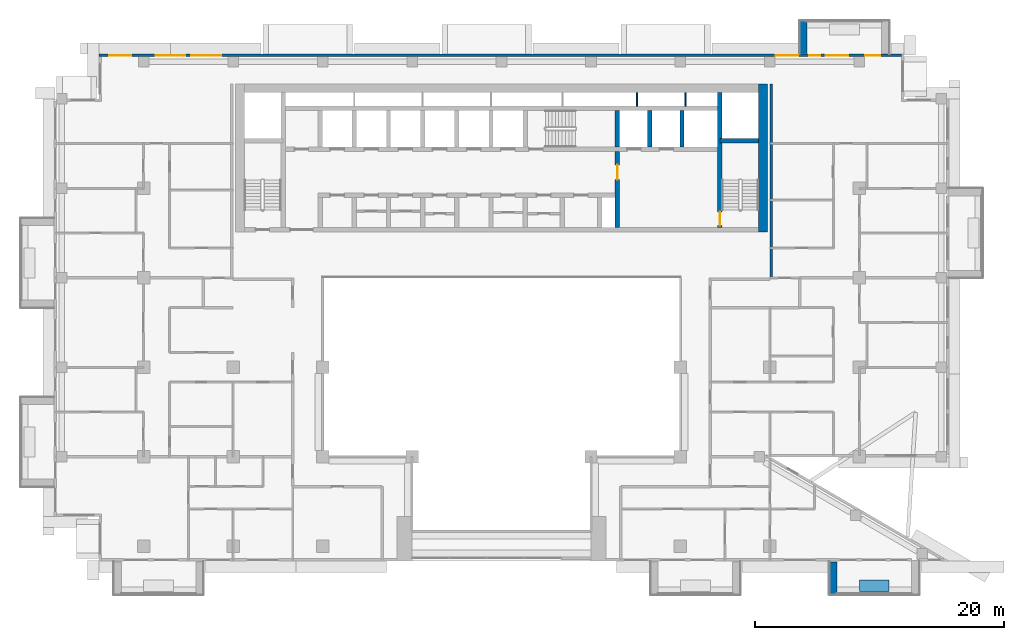
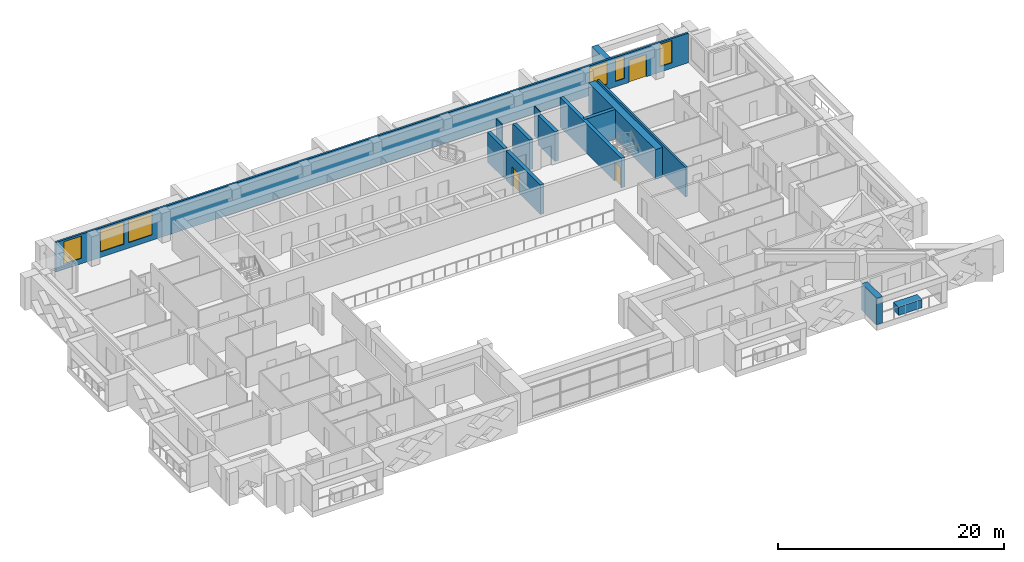
# One storey, part 11 of 20: 14 walls, 6 windows, 3 doors, 9 openings.
"""IFC4 building model written with IfcOpenShell, lengths in metres."""

from ifc_helpers import new_model, si_unit, direction, frame, frame_2d, origin, place, context, subcontext, project, spatial, rectangle, extrude, material, layer, layer_set, type_object, element, fill, save


model = new_model("IFC4")

# Units and contexts
model_context = context("Model", 3, precision=1e-05, world=origin(), true_north=direction((0.0, 1.0)))
body_context = subcontext(model_context, "Body", "Model", "MODEL_VIEW")
ifc_project = project(units=[si_unit("LENGTHUNIT", "METRE"), si_unit("AREAUNIT", "SQUARE_METRE"), si_unit("VOLUMEUNIT", "CUBIC_METRE"), si_unit("PLANEANGLEUNIT", "RADIAN"), si_unit("MASSUNIT", "GRAM", prefix="KILO")], contexts=[model_context])

# Site, building, storey
site_placement = place(None, origin())
site = spatial("IfcSite", under=ifc_project, at=site_placement, CompositionType="ELEMENT")
building_placement = place(site_placement, origin())
building = spatial("IfcBuilding", under=site, at=building_placement, Name="Saffron Iwan Residences", CompositionType="ELEMENT")
storey_placement = place(building_placement, frame((0.0, 0.0, 171.0)))
storey = spatial("IfcBuildingStorey", under=building, at=storey_placement, Name="L45", CompositionType="ELEMENT", Elevation=171.0)

# Walls
ifc_material_1 = material(Name="Concrete C50/60 white painted", Category="concrete")
ifc_layer_1 = layer(ifc_material_1, 0.60009765625)
ifc_layer_set_1 = layer_set([ifc_layer_1], Name="Concrete C50/60 white painted")
wall_type_1 = type_object("IfcWallType", Name="BALCONY FIN 600", PredefinedType="SOLIDWALL", material=ifc_layer_set_1)
for number, where, z_axis, x_axis, name in (
    (1, (74.699951171875, 80.449951171875, 0.0), (0.0, 0.0, 1.0), (0.0, 1.0, 0.0), "Balcony fin L45 F5-0b"),
    (2, (77.10009765625, 39.550048828125, 0.0), (0.0, 0.0, 1.0), (0.0, -1.0, 0.0), "Balcony fin L45 11-3a"),
):
    element("IfcWall", number, at=place(storey_placement, frame(where, z_axis=z_axis, x_axis=x_axis)), inside=storey, type_object=wall_type_1, Name=name, PredefinedType="SOLIDWALL", context=body_context, shape_type="SweptSolid", body=[
        extrude(rectangle(XDim=2.650146484375, YDim=0.60009765625, at=frame_2d((1.3251953125, 0.0))), origin(), (0.0, 0.0, 1.0), 2.85009765625),
    ])
ifc_material_2 = material(Name="Concrete C35/45 white painted", Category="concrete")
ifc_layer_2 = layer(ifc_material_2, 0.14990234375)
ifc_layer_set_2 = layer_set([ifc_layer_2], Name="Concrete C35/45 white painted")
wall_type_2 = type_object("IfcWallType", Name="BALCONY PLANTER", PredefinedType="SOLIDWALL", material=ifc_layer_set_2)
wall_1_placement = place(storey_placement, frame((79.199951171875, 37.625, 0.0), z_axis=(0.0, 0.0, 1.0), x_axis=(1.0, 0.0, 0.0)))
element("IfcWall", 3, at=wall_1_placement, inside=storey, type_object=wall_type_2, Name="PLANTER L45 11-3", PredefinedType="SOLIDWALL", context=body_context, shape_type="SweptSolid", body=[
    extrude(rectangle(XDim=2.400146484375, YDim=0.89990234375, at=frame_2d((1.2001953125, 0.0))), origin(), (0.0, 0.0, 1.0), 0.89990234375),
])

# Wall, openings, door, windows
ifc_material_3 = material(Name="Concrete C40/50", Category="concrete")
ifc_layer_3 = layer(ifc_material_3, 0.199951171875)
ifc_layer_set_3 = layer_set([ifc_layer_3], Name="Concrete C40/50")
wall_type_3 = type_object("IfcWallType", Name="EXTERNAL WALL 200", PredefinedType="SOLIDWALL", material=ifc_layer_set_3)
wall_2_placement = place(storey_placement, frame((82.60009765625, 80.300048828125, 0.0), z_axis=(0.0, 0.0, 1.0), x_axis=(-1.0, 0.0, 0.0)))
wall_2 = element("IfcWall", 4, at=wall_2_placement, inside=storey, type_object=wall_type_3, Name="External wall L45 F5.0", PredefinedType="SOLIDWALL", context=body_context, shape_type="SweptSolid", body=[
    extrude(rectangle(XDim=64.60009765625, YDim=0.199951171875, at=frame_2d((32.300048828125, 0.0))), origin(), (0.0, 0.0, 1.0), 3.199951171875),
])
opening_1_placement = place(wall_2_placement, frame((4.300048828125, 0.0, 0.0)))
opening_1 = element("IfcOpeningElement", 5, at=opening_1_placement, cuts=wall_2, Name="Opening BD1", PredefinedType="OPENING", context=body_context, shape_type="SweptSolid", body=[
    extrude(rectangle(XDim=1.800048828125, YDim=2.39990234375, at=frame_2d((0.89990234375, 1.199951171875))), frame((0.0, 0.10986328125, 0.0), z_axis=(0.0, -1.0, 0.0), x_axis=(1.0, 0.0, 0.0)), (0.0, 0.0, 1.0), 0.219970703125),
])
opening_2_placement = place(wall_2_placement, frame((54.75830078125, 0.0, 0.60009765625)))
opening_2 = element("IfcOpeningElement", 6, at=opening_2_placement, cuts=wall_2, Name="Opening W1", PredefinedType="OPENING", context=body_context, shape_type="SweptSolid", body=[
    extrude(rectangle(XDim=2.39990234375, YDim=2.39990234375, at=frame_2d((1.199951171875, 1.199951171875))), frame((0.0, 0.10986328125, 0.0), z_axis=(0.0, -1.0, 0.0), x_axis=(1.0, 0.0, 0.0)), (0.0, 0.0, 1.0), 0.219970703125),
])
opening_3_placement = place(wall_2_placement, frame((57.6416015625, 0.0, 0.60009765625)))
opening_3 = element("IfcOpeningElement", 7, at=opening_3_placement, cuts=wall_2, Name="Opening W1", PredefinedType="OPENING", context=body_context, shape_type="SweptSolid", body=[
    extrude(rectangle(XDim=2.39990234375, YDim=2.39990234375, at=frame_2d((1.199951171875, 1.199951171875))), frame((0.0, 0.10986328125, 0.0), z_axis=(0.0, -1.0, 0.0), x_axis=(1.0, 0.0, 0.0)), (0.0, 0.0, 1.0), 0.219970703125),
])
opening_4_placement = place(wall_2_placement, frame((61.987548828125, 0.0, 0.60009765625)))
opening_4 = element("IfcOpeningElement", 8, at=opening_4_placement, cuts=wall_2, Name="Opening W8", PredefinedType="OPENING", context=body_context, shape_type="SweptSolid", body=[
    extrude(rectangle(XDim=1.800048828125, YDim=2.39990234375, at=frame_2d((0.89990234375, 1.199951171875))), frame((0.0, 0.10986328125, 0.0), z_axis=(0.0, -1.0, 0.0), x_axis=(1.0, 0.0, 0.0)), (0.0, 0.0, 1.0), 0.219970703125),
])
opening_5_placement = place(wall_2_placement, frame((1.71240234375, 0.0, 0.60009765625)))
opening_5 = element("IfcOpeningElement", 9, at=opening_5_placement, cuts=wall_2, Name="Opening W3", PredefinedType="OPENING", context=body_context, shape_type="SweptSolid", body=[
    extrude(rectangle(XDim=1.199951171875, YDim=2.39990234375, at=frame_2d((0.60009765625, 1.199951171875))), frame((0.0, 0.10986328125, 0.0), z_axis=(0.0, -1.0, 0.0), x_axis=(1.0, 0.0, 0.0)), (0.0, 0.0, 1.0), 0.219970703125),
])
opening_6_placement = place(wall_2_placement, frame((6.550048828125, 0.0, 0.60009765625)))
opening_6 = element("IfcOpeningElement", 10, at=opening_6_placement, cuts=wall_2, Name="Opening W10", PredefinedType="OPENING", context=body_context, shape_type="SweptSolid", body=[
    extrude(rectangle(XDim=0.89990234375, YDim=2.39990234375, at=frame_2d((0.449951171875, 1.199951171875))), frame((0.0, 0.10986328125, 0.0), z_axis=(0.0, -1.0, 0.0), x_axis=(1.0, 0.0, 0.0)), (0.0, 0.0, 1.0), 0.219970703125),
])
opening_7_placement = place(wall_2_placement, frame((8.3125, 0.0, 0.60009765625)))
opening_7 = element("IfcOpeningElement", 11, at=opening_7_placement, cuts=wall_2, Name="Opening W8", PredefinedType="OPENING", context=body_context, shape_type="SweptSolid", body=[
    extrude(rectangle(XDim=1.800048828125, YDim=2.39990234375, at=frame_2d((0.89990234375, 1.199951171875))), frame((0.0, 0.10986328125, 0.0), z_axis=(0.0, -1.0, 0.0), x_axis=(1.0, 0.0, 0.0)), (0.0, 0.0, 1.0), 0.219970703125),
])
ifc_material_4 = material(Name="Clear glass, laminated double glazed", Category="glass")
door_type_1 = type_object("IfcDoorType", Name="BALCONY DOOR 1800 x 2400", OperationType="DOUBLE_DOOR_SLIDING", PredefinedType="DOOR", material=ifc_material_4)
door_1_placement = place(opening_1_placement, origin())
door_1 = element("IfcDoor", 12, at=door_1_placement, inside=storey, type_object=door_type_1, Name="Balcony door L45 F5.0", OperationType="DOUBLE_DOOR_SLIDING", OverallHeight=2.39990234375, OverallWidth=1.800048828125, PredefinedType="DOOR", context=body_context, shape_type="SweptSolid", body=[
    extrude(rectangle(XDim=1.800048828125, YDim=2.39990234375, at=frame_2d((0.89990234375, 1.199951171875))), frame((0.0, 0.02490234375, 0.0), z_axis=(0.0, -1.0, 0.0), x_axis=(1.0, 0.0, 0.0)), (0.0, 0.0, 1.0), 0.050048828125),
])
fill(opening_1, door_1)
window_type_1 = type_object("IfcWindowType", Name="WINDOW 1200 x 2400", PartitioningType="SINGLE_PANEL", PredefinedType="WINDOW", material=ifc_material_4)
window_1_placement = place(opening_5_placement, origin())
window_1 = element("IfcWindow", 13, at=window_1_placement, inside=storey, type_object=window_type_1, Name="Window L45 F5.4", OverallHeight=2.39990234375, OverallWidth=1.199951171875, PartitioningType="SINGLE_PANEL", PredefinedType="WINDOW", context=body_context, shape_type="SweptSolid", body=[
    extrude(rectangle(XDim=1.199951171875, YDim=2.39990234375, at=frame_2d((0.60009765625, 1.199951171875))), frame((0.0, 0.030029296875, 0.0), z_axis=(0.0, -1.0, 0.0), x_axis=(1.0, 0.0, 0.0)), (0.0, 0.0, 1.0), 0.06005859375),
])
fill(opening_5, window_1)
window_type_2 = type_object("IfcWindowType", Name="WINDOW 1800 x 2400", PartitioningType="DOUBLE_PANEL_VERTICAL", PredefinedType="WINDOW", material=ifc_material_4)
window_2_placement = place(opening_4_placement, origin())
window_2 = element("IfcWindow", 14, at=window_2_placement, inside=storey, type_object=window_type_2, Name="Window L45 F5.3", OverallHeight=2.39990234375, OverallWidth=1.800048828125, PartitioningType="DOUBLE_PANEL_VERTICAL", PredefinedType="WINDOW", context=body_context, shape_type="SweptSolid", body=[
    extrude(rectangle(XDim=1.800048828125, YDim=2.39990234375, at=frame_2d((0.89990234375, 1.199951171875))), frame((0.0, 0.030029296875, 0.0), z_axis=(0.0, -1.0, 0.0), x_axis=(1.0, 0.0, 0.0)), (0.0, 0.0, 1.0), 0.06005859375),
])
fill(opening_4, window_2)
window_3_placement = place(opening_7_placement, origin())
window_3 = element("IfcWindow", 15, at=window_3_placement, inside=storey, type_object=window_type_2, Name="Window L45 F5.6", OverallHeight=2.39990234375, OverallWidth=1.800048828125, PartitioningType="DOUBLE_PANEL_VERTICAL", PredefinedType="WINDOW", context=body_context, shape_type="SweptSolid", body=[
    extrude(rectangle(XDim=1.800048828125, YDim=2.39990234375, at=frame_2d((0.89990234375, 1.199951171875))), frame((0.0, 0.030029296875, 0.0), z_axis=(0.0, -1.0, 0.0), x_axis=(1.0, 0.0, 0.0)), (0.0, 0.0, 1.0), 0.06005859375),
])
fill(opening_7, window_3)
window_type_3 = type_object("IfcWindowType", Name="WINDOW 2400 x 2400", PartitioningType="DOUBLE_PANEL_VERTICAL", PredefinedType="WINDOW", material=ifc_material_4)
window_4_placement = place(opening_2_placement, origin())
window_4 = element("IfcWindow", 16, at=window_4_placement, inside=storey, type_object=window_type_3, Name="Window L45 F5.1", OverallHeight=2.39990234375, OverallWidth=2.39990234375, PartitioningType="DOUBLE_PANEL_VERTICAL", PredefinedType="WINDOW", context=body_context, shape_type="SweptSolid", body=[
    extrude(rectangle(XDim=2.39990234375, YDim=2.39990234375, at=frame_2d((1.199951171875, 1.199951171875))), frame((0.0, 0.030029296875, 0.0), z_axis=(0.0, -1.0, 0.0), x_axis=(1.0, 0.0, 0.0)), (0.0, 0.0, 1.0), 0.06005859375),
])
fill(opening_2, window_4)
window_5_placement = place(opening_3_placement, origin())
window_5 = element("IfcWindow", 17, at=window_5_placement, inside=storey, type_object=window_type_3, Name="Window L45 F5.2", OverallHeight=2.39990234375, OverallWidth=2.39990234375, PartitioningType="DOUBLE_PANEL_VERTICAL", PredefinedType="WINDOW", context=body_context, shape_type="SweptSolid", body=[
    extrude(rectangle(XDim=2.39990234375, YDim=2.39990234375, at=frame_2d((1.199951171875, 1.199951171875))), frame((0.0, 0.030029296875, 0.0), z_axis=(0.0, -1.0, 0.0), x_axis=(1.0, 0.0, 0.0)), (0.0, 0.0, 1.0), 0.06005859375),
])
fill(opening_3, window_5)
window_type_4 = type_object("IfcWindowType", Name="WINDOW 900 x 2400", PartitioningType="SINGLE_PANEL", PredefinedType="WINDOW", material=ifc_material_4)
window_6_placement = place(opening_6_placement, origin())
window_6 = element("IfcWindow", 18, at=window_6_placement, inside=storey, type_object=window_type_4, Name="Window L45 F5.5", OverallHeight=2.39990234375, OverallWidth=0.89990234375, PartitioningType="SINGLE_PANEL", PredefinedType="WINDOW", context=body_context, shape_type="SweptSolid", body=[
    extrude(rectangle(XDim=0.89990234375, YDim=2.39990234375, at=frame_2d((0.449951171875, 1.199951171875))), frame((0.0, 0.030029296875, 0.0), z_axis=(0.0, -1.0, 0.0), x_axis=(1.0, 0.0, 0.0)), (0.0, 0.0, 1.0), 0.06005859375),
])
fill(opening_6, window_6)

# Walls
ifc_material_5 = material(Name="Fire-rated gypsum board wall")
ifc_layer_4 = layer(ifc_material_5, 0.199951171875)
ifc_layer_set_4 = layer_set([ifc_layer_4], Name="Fire-rated gypsum board wall")
wall_type_4 = type_object("IfcWallType", Name="Gallery wall 200", PredefinedType="SOLIDWALL", material=ifc_layer_set_4)
wall_3_placement = place(storey_placement, frame((72.10009765625, 62.39990234375, 0.0), z_axis=(0.0, 0.0, 1.0), x_axis=(0.0, 1.0, 0.0)))
element("IfcWall", 19, at=wall_3_placement, inside=storey, type_object=wall_type_4, Name="W-L45-CORR-v72-62.4", PredefinedType="SOLIDWALL", context=body_context, shape_type="SweptSolid", body=[
    extrude(rectangle(XDim=15.60009765625, YDim=0.199951171875, at=frame_2d((7.800048828125, 0.0))), origin(), (0.0, 0.0, 1.0), 3.199951171875),
])
ifc_material_6 = material(Name="Fire-rated plasterboard partition")
ifc_layer_5 = layer(ifc_material_6, 0.10009765625)
ifc_layer_set_5 = layer_set([ifc_layer_5], Name="Fire-rated plasterboard partition")
wall_type_5 = type_object("IfcWallType", Name="Riser partition 100", PredefinedType="PARTITIONING", material=ifc_layer_set_5)
for number, where, z_axis, x_axis, name in (
    (20, (61.300048828125, 76.22509765625, 0.0), (0.0, 0.0, 1.0), (0.0, 1.0, 0.0), "Core partition P10"),
    (21, (65.199951171875, 76.22509765625, 0.0), (0.0, 0.0, 1.0), (0.0, 1.0, 0.0), "Core partition P11"),
):
    element("IfcWall", number, at=place(storey_placement, frame(where, z_axis=z_axis, x_axis=x_axis)), inside=storey, type_object=wall_type_5, Name=name, PredefinedType="PARTITIONING", context=body_context, shape_type="SweptSolid", body=[
        extrude(rectangle(XDim=1.074951171875, YDim=0.10009765625, at=frame_2d((0.53759765625, 0.0))), origin(), (0.0, 0.0, 1.0), 3.199951171875),
    ])
ifc_material_7 = material(Name="Concrete C50/60", Category="concrete")
ifc_layer_6 = layer(ifc_material_7, 0.35009765625)
ifc_layer_set_6 = layer_set([ifc_layer_6], Name="Concrete C50/60")
wall_type_6 = type_object("IfcWallType", Name="WALL CORE 350 C50/60 3200 HIGH", PredefinedType="SHEAR", material=ifc_layer_set_6)
wall_4_placement = place(storey_placement, frame((67.97509765625, 73.425048828125, 0.0), z_axis=(0.0, 0.0, 1.0), x_axis=(1.0, 0.0, 0.0)))
element("IfcWall", 22, at=wall_4_placement, inside=storey, type_object=wall_type_6, Name="Core wall", PredefinedType="SHEAR", context=body_context, shape_type="SweptSolid", body=[
    extrude(rectangle(XDim=3.125, YDim=0.35009765625, at=frame_2d((1.5625, 0.0))), origin(), (0.0, 0.0, 1.0), 3.199951171875),
])

# Wall, opening, door
wall_5_placement = place(storey_placement, frame((67.97509765625, 66.449951171875, 0.0), z_axis=(0.0, 0.0, 1.0), x_axis=(0.0, 1.0, 0.0)))
wall_5 = element("IfcWall", 23, at=wall_5_placement, inside=storey, type_object=wall_type_6, Name="Core wall", PredefinedType="SHEAR", context=body_context, shape_type="SweptSolid", body=[
    extrude(rectangle(XDim=10.85009765625, YDim=0.35009765625, at=frame_2d((5.425048828125, 0.0))), origin(), (0.0, 0.0, 1.0), 3.199951171875),
])
opening_8_placement = place(wall_5_placement, frame((0.14990234375, 0.0, 0.0)))
opening_8 = element("IfcOpeningElement", 24, at=opening_8_placement, cuts=wall_5, Name="Opening SD", PredefinedType="OPENING", context=body_context, shape_type="SweptSolid", body=[
    extrude(rectangle(XDim=1.10009765625, YDim=2.10009765625, at=frame_2d((0.550048828125, 1.050048828125))), frame((0.0, 0.18505859375, 0.0), z_axis=(0.0, -1.0, 0.0), x_axis=(1.0, 0.0, 0.0)), (0.0, 0.0, 1.0), 0.3701171875),
])
ifc_material_8 = material(Name="Steel fire door", Category="steel")
door_type_2 = type_object("IfcDoorType", Name="Stair door 1100", OperationType="NOTDEFINED", PredefinedType="DOOR", material=ifc_material_8)
door_2_placement = place(opening_8_placement, origin())
door_2 = element("IfcDoor", 25, at=door_2_placement, inside=storey, type_object=door_type_2, Name="Stair door ST-E", OperationType="SINGLE_SWING_LEFT", OverallHeight=2.10009765625, OverallWidth=1.10009765625, PredefinedType="DOOR", context=body_context, shape_type="SweptSolid", body=[
    extrude(rectangle(XDim=1.10009765625, YDim=2.10009765625, at=frame_2d((0.550048828125, 1.050048828125))), frame((0.0, 0.02490234375, 0.0), z_axis=(0.0, -1.0, 0.0), x_axis=(1.0, 0.0, 0.0)), (0.0, 0.0, 1.0), 0.050048828125),
])
fill(opening_8, door_2)

wall_6_placement = place(storey_placement, frame((59.72509765625, 66.449951171875, 0.0), z_axis=(0.0, 0.0, 1.0), x_axis=(0.0, 1.0, 0.0)))
wall_6 = element("IfcWall", 26, at=wall_6_placement, inside=storey, type_object=wall_type_6, Name="Core wall", PredefinedType="SHEAR", context=body_context, shape_type="SweptSolid", body=[
    extrude(rectangle(XDim=6.125, YDim=0.35009765625, at=frame_2d((3.0625, 0.0))), origin(), (0.0, 0.0, 1.0), 3.199951171875),
])
opening_9_placement = place(wall_6_placement, frame((3.85009765625, 0.0, 0.0)))
opening_9 = element("IfcOpeningElement", 27, at=opening_9_placement, cuts=wall_6, Name="Opening FD", PredefinedType="OPENING", context=body_context, shape_type="SweptSolid", body=[
    extrude(rectangle(XDim=1.199951171875, YDim=2.10009765625, at=frame_2d((0.60009765625, 1.050048828125))), frame((0.0, 0.18505859375, 0.0), z_axis=(0.0, -1.0, 0.0), x_axis=(1.0, 0.0, 0.0)), (0.0, 0.0, 1.0), 0.3701171875),
])
door_type_3 = type_object("IfcDoorType", Name="Firefighting lobby door 1200", OperationType="NOTDEFINED", PredefinedType="DOOR", material=ifc_material_8)
door_3_placement = place(opening_9_placement, origin())
door_3 = element("IfcDoor", 28, at=door_3_placement, inside=storey, type_object=door_type_3, Name="Firefighting lobby door", OperationType="SINGLE_SWING_LEFT", OverallHeight=2.10009765625, OverallWidth=1.199951171875, PredefinedType="DOOR", context=body_context, shape_type="SweptSolid", body=[
    extrude(rectangle(XDim=1.199951171875, YDim=2.10009765625, at=frame_2d((0.60009765625, 1.050048828125))), frame((0.0, 0.02490234375, 0.0), z_axis=(0.0, -1.0, 0.0), x_axis=(1.0, 0.0, 0.0)), (0.0, 0.0, 1.0), 0.050048828125),
])
fill(opening_9, door_3)

# Walls
for number, where, z_axis, x_axis, name in (
    (29, (59.72509765625, 72.925048828125, 0.0), (0.0, 0.0, 1.0), (0.0, 1.0, 0.0), "Core wall"),
    (30, (62.324951171875, 72.925048828125, 0.0), (0.0, 0.0, 1.0), (0.0, 1.0, 0.0), "Core wall"),
    (31, (64.925048828125, 72.925048828125, 0.0), (0.0, 0.0, 1.0), (0.0, 1.0, 0.0), "Core wall"),
):
    element("IfcWall", number, at=place(storey_placement, frame(where, z_axis=z_axis, x_axis=x_axis)), inside=storey, type_object=wall_type_6, Name=name, PredefinedType="SHEAR", context=body_context, shape_type="SweptSolid", body=[
        extrude(rectangle(XDim=2.949951171875, YDim=0.35009765625, at=frame_2d((1.47509765625, 0.0))), origin(), (0.0, 0.0, 1.0), 3.199951171875),
    ])
ifc_layer_7 = layer(ifc_material_7, 0.699951171875)
ifc_layer_set_7 = layer_set([ifc_layer_7], Name="Concrete C50/60")
wall_type_7 = type_object("IfcWallType", Name="WALL CORE 700 C50/60 3200 HIGH", PredefinedType="SHEAR", material=ifc_layer_set_7)
wall_7_placement = place(storey_placement, frame((71.449951171875, 66.10009765625, 0.0), z_axis=(0.0, 0.0, 1.0), x_axis=(0.0, 1.0, 0.0)))
element("IfcWall", 32, at=wall_7_placement, inside=storey, type_object=wall_type_7, Name="Core wall", PredefinedType="SHEAR", context=body_context, shape_type="SweptSolid", body=[
    extrude(rectangle(XDim=11.89990234375, YDim=0.699951171875, at=frame_2d((5.949951171875, 0.0))), origin(), (0.0, 0.0, 1.0), 3.199951171875),
])

save(model, "model.ifc")
